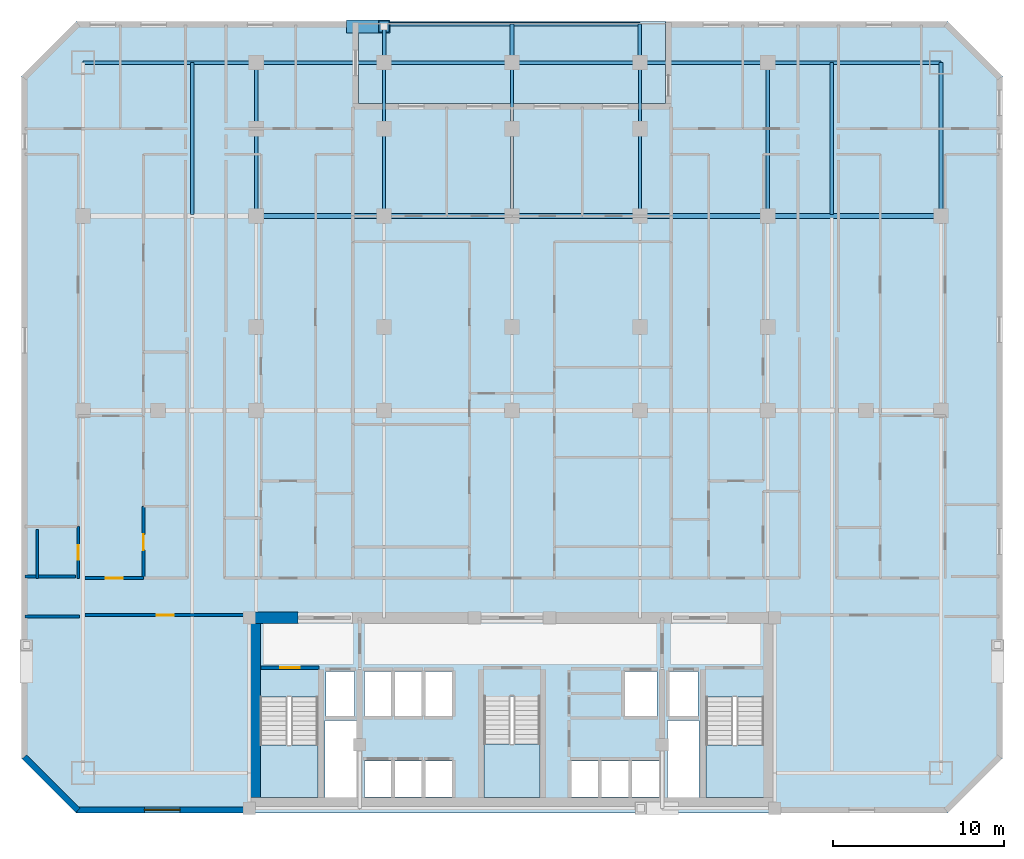
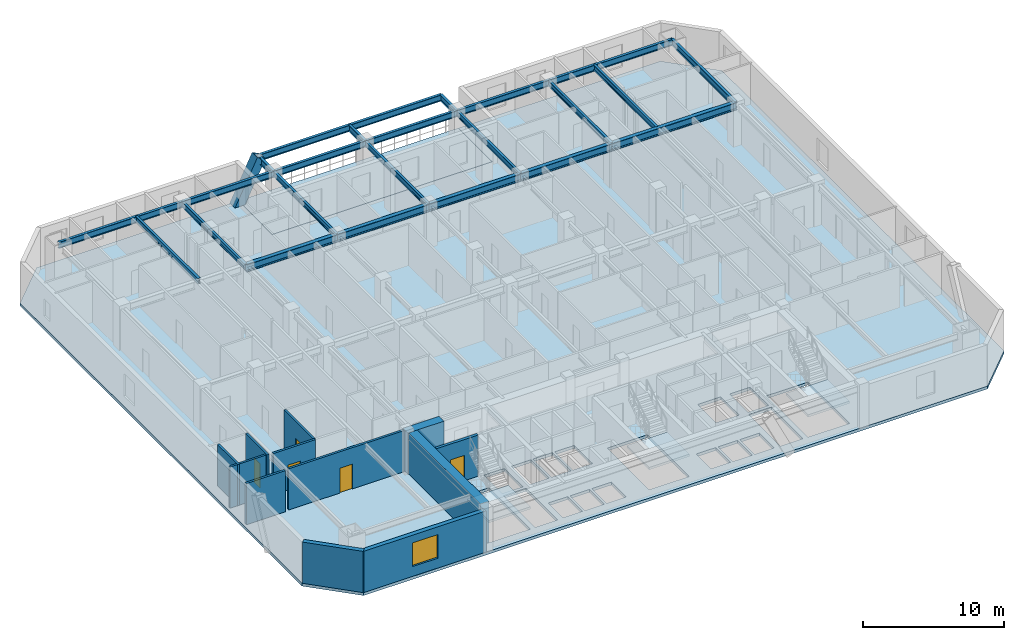
# One storey, part 2 of 10: 24 beams, 12 walls, 5 doors, 5 slabs, 1 member, 1 window, 6 openings, 3 elements without a shape of their own.
"""IFC4 building model written with IfcOpenShell, lengths in metres."""

from ifc_helpers import new_model, si_unit, direction, frame, frame_2d, origin, origin_2d, place, context, subcontext, project, spatial, polyline, rectangle, hollow_rectangle, i_section, outline, extrude, material, layer, layer_set, material_profile, profile_set, type_object, element, fill, aggregate, save


model = new_model("IFC4")

# Units and contexts
model_context = context("Model", 3, precision=1e-05, world=origin(), true_north=direction((0.0, 1.0)))
body_context = subcontext(model_context, "Body", "Model", "MODEL_VIEW")
ifc_project = project(units=[si_unit("LENGTHUNIT", "METRE"), si_unit("AREAUNIT", "SQUARE_METRE"), si_unit("VOLUMEUNIT", "CUBIC_METRE"), si_unit("PLANEANGLEUNIT", "RADIAN"), si_unit("MASSUNIT", "GRAM", prefix="KILO")], contexts=[model_context])

# Site, building, storey
site_placement = place(None, origin())
site = spatial("IfcSite", under=ifc_project, at=site_placement, CompositionType="ELEMENT")
building_placement = place(site_placement, origin())
building = spatial("IfcBuilding", under=site, at=building_placement, Name="Ventersveld Concourse Tower", CompositionType="ELEMENT")
storey_placement = place(building_placement, frame((0.0, 0.0, 72.14990234375)))
storey = spatial("IfcBuildingStorey", under=building, at=storey_placement, Name="L17", CompositionType="ELEMENT", Elevation=72.14990234375)

# Beams
ifc_material_1 = material(Name="Structural steel S355J2", Category="steel")
ifc_material_profile_1 = material_profile(ifc_material_1, i_section(OverallWidth=0.19140625, OverallDepth=0.4599609375, WebThickness=0.010009765625, FlangeThickness=0.01611328125, FilletRadius=0.01025390625, at=origin_2d()), Name="UB 457x191x82")
ifc_profile_set_1 = profile_set([ifc_material_profile_1], Name="Structural steel S355J2")
beam_type_1 = type_object("IfcBeamType", Name="BM-UB457H", PredefinedType="BEAM", material=ifc_profile_set_1)
beam_1_placement = place(storey_placement, frame((10.0, 35.094970703125, 3.340087890625), z_axis=(0.0, 1.0, 0.0), x_axis=(-1.0, 0.0, 0.0)))
element("IfcBeam", 1, at=beam_1_placement, inside=storey, type_object=beam_type_1, Name="L17 N-S Composite Floor Beam North X=10.00", PredefinedType="BEAM", context=body_context, shape_type="SweptSolid", body=[
    extrude(i_section(OverallWidth=0.19140625, OverallDepth=0.4599609375, WebThickness=0.010009765625, FlangeThickness=0.01611328125, FilletRadius=0.01025390625, at=origin_2d()), origin(), (0.0, 0.0, 1.0), 8.905029296875),
])
for number, where, z_axis, x_axis, name in (
    (2, (13.75, 35.0, 3.340087890625), (0.0, 1.0, 0.0), (-1.0, 0.0, 0.0), "L17 N-S Composite Floor Beam North X=13.75"),
    (3, (21.25, 35.0, 3.340087890625), (0.0, 1.0, 0.0), (-1.0, 0.0, 0.0), "L17 N-S Composite Floor Beam North X=21.25"),
    (4, (28.75, 35.0, 3.340087890625), (0.0, 1.0, 0.0), (-1.0, 0.0, 0.0), "L17 N-S Composite Floor Beam North X=28.75"),
    (5, (36.25, 35.0, 3.340087890625), (0.0, 1.0, 0.0), (-1.0, 0.0, 0.0), "L17 N-S Composite Floor Beam North X=36.25"),
    (6, (43.75, 35.0, 3.340087890625), (0.0, 1.0, 0.0), (-1.0, 0.0, 0.0), "L17 N-S Composite Floor Beam North X=43.75"),
):
    element("IfcBeam", number, at=place(storey_placement, frame(where, z_axis=z_axis, x_axis=x_axis)), inside=storey, type_object=beam_type_1, Name=name, PredefinedType="BEAM", context=body_context, shape_type="SweptSolid", body=[
        extrude(i_section(OverallWidth=0.19140625, OverallDepth=0.4599609375, WebThickness=0.010009765625, FlangeThickness=0.01611328125, FilletRadius=0.01025390625, at=origin_2d()), origin(), (0.0, 0.0, 1.0), 9.0),
    ])
beam_2_placement = place(storey_placement, frame((47.5, 35.094970703125, 3.340087890625), z_axis=(0.0, 1.0, 0.0), x_axis=(-1.0, 0.0, 0.0)))
element("IfcBeam", 7, at=beam_2_placement, inside=storey, type_object=beam_type_1, Name="L17 N-S Composite Floor Beam North X=47.50", PredefinedType="BEAM", context=body_context, shape_type="SweptSolid", body=[
    extrude(i_section(OverallWidth=0.19140625, OverallDepth=0.4599609375, WebThickness=0.010009765625, FlangeThickness=0.01611328125, FilletRadius=0.01025390625, at=origin_2d()), origin(), (0.0, 0.0, 1.0), 8.905029296875),
])
ifc_material_profile_2 = material_profile(ifc_material_1, i_section(OverallWidth=0.311279296875, OverallDepth=0.6357421875, WebThickness=0.018310546875, FlangeThickness=0.031494140625, FilletRadius=0.0166015625, at=origin_2d()), Name="UB 610x305x238")
ifc_profile_set_2 = profile_set([ifc_material_profile_2], Name="Structural steel S355J2")
beam_type_2 = type_object("IfcBeamType", Name="GRD-UB610H", PredefinedType="USERDEFINED", material=ifc_profile_set_2)
for number, where, z_axis, x_axis, name in (
    (8, (13.75, 35.0, 3.252197265625), (1.0, 0.0, 0.0), (0.0, 1.0, 0.0), "L17 E-W Grid Girder Y=35.00 #2"),
    (9, (21.25, 35.0, 3.252197265625), (1.0, 0.0, 0.0), (0.0, 1.0, 0.0), "L17 E-W Grid Girder Y=35.00 #3"),
    (10, (28.75, 35.0, 3.252197265625), (1.0, 0.0, 0.0), (0.0, 1.0, 0.0), "L17 E-W Grid Girder Y=35.00 #4"),
    (11, (36.25, 35.0, 3.252197265625), (1.0, 0.0, 0.0), (0.0, 1.0, 0.0), "L17 E-W Grid Girder Y=35.00 #5"),
):
    element("IfcBeam", number, at=place(storey_placement, frame(where, z_axis=z_axis, x_axis=x_axis)), inside=storey, type_object=beam_type_2, Name=name, ObjectType="GIRDER", PredefinedType="USERDEFINED", context=body_context, shape_type="SweptSolid", body=[
        extrude(i_section(OverallWidth=0.311279296875, OverallDepth=0.6357421875, WebThickness=0.018310546875, FlangeThickness=0.031494140625, FilletRadius=0.0166015625, at=origin_2d()), origin(), (0.0, 0.0, 1.0), 7.5),
    ])
beam_3_placement = place(storey_placement, frame((43.75, 35.0, 3.252197265625), z_axis=(1.0, 0.0, 0.0), x_axis=(0.0, 1.0, 0.0)))
element("IfcBeam", 12, at=beam_3_placement, inside=storey, type_object=beam_type_2, Name="L17 E-W Grid Girder Y=35.00 #6", ObjectType="GIRDER", PredefinedType="USERDEFINED", context=body_context, shape_type="SweptSolid", body=[
    extrude(i_section(OverallWidth=0.311279296875, OverallDepth=0.6357421875, WebThickness=0.018310546875, FlangeThickness=0.031494140625, FilletRadius=0.0166015625, at=origin_2d()), origin(), (0.0, 0.0, 1.0), 10.14990234375),
])

# Member
ifc_material_2 = material(Name="Structural steel S355ML", Category="steel")
ifc_material_profile_3 = material_profile(ifc_material_2, hollow_rectangle(XDim=0.75, YDim=0.75, WallThickness=0.044921875, at=origin_2d()), Name="BOX 750x750x45")
ifc_profile_set_3 = profile_set([ifc_material_profile_3], Name="Structural steel S355ML")
member_type = type_object("IfcMemberType", Name="MB-750x750", PredefinedType="BRACE", material=ifc_profile_set_3)
member_placement = place(storey_placement, frame((19.375, 46.1201171875, -0.25), z_axis=(0.440615191354, 0.0, 0.897696080613), x_axis=(0.0, 1.0, 0.0)))
element("IfcMember", 13, at=member_placement, inside=storey, type_object=member_type, Name="L17 Exterior Mega-Brace N (Module M03)", PredefinedType="BRACE", context=body_context, shape_type="SweptSolid", body=[
    extrude(hollow_rectangle(XDim=0.75, YDim=0.75, WallThickness=0.044921875, at=origin_2d()), origin(), (0.0, 0.0, 1.0), 4.25537109375),
])

# Beams
ifc_material_profile_4 = material_profile(ifc_material_1, i_section(OverallWidth=0.2119140625, OverallDepth=0.54443359375, WebThickness=0.0126953125, FlangeThickness=0.021240234375, FilletRadius=0.0126953125, at=origin_2d()), Name="UB 533x210x122")
ifc_profile_set_4 = profile_set([ifc_material_profile_4], Name="Structural steel S355J2")
beam_type_3 = type_object("IfcBeamType", Name="SPD-UB533", PredefinedType="SPANDREL", material=ifc_profile_set_4)
beam_4_placement = place(storey_placement, frame((53.89990234375, 35.0, 3.2978515625), z_axis=(0.0, 1.0, 0.0), x_axis=(-1.0, 0.0, 0.0)))
element("IfcBeam", 14, at=beam_4_placement, inside=storey, type_object=beam_type_3, Name="L17 East Spandrel Beam N", PredefinedType="SPANDREL", context=body_context, shape_type="SweptSolid", body=[
    extrude(i_section(OverallWidth=0.2119140625, OverallDepth=0.54443359375, WebThickness=0.0126953125, FlangeThickness=0.021240234375, FilletRadius=0.0126953125, at=origin_2d()), origin(), (0.0, 0.0, 1.0), 9.0),
])
for number, where, z_axis, x_axis, name in (
    (15, (21.25, 44.0, 3.2978515625), (0.0, 1.0, 0.0), (-1.0, 0.0, 0.0), "L17 Terrace Bracket W"),
    (16, (28.75, 44.0, 3.2978515625), (0.0, 1.0, 0.0), (-1.0, 0.0, 0.0), "L17 Terrace Bracket C"),
    (17, (36.25, 44.0, 3.2978515625), (0.0, 1.0, 0.0), (-1.0, 0.0, 0.0), "L17 Terrace Bracket E"),
):
    element("IfcBeam", number, at=place(storey_placement, frame(where, z_axis=z_axis, x_axis=x_axis)), inside=storey, type_object=beam_type_3, Name=name, PredefinedType="SPANDREL", context=body_context, shape_type="SweptSolid", body=[
        extrude(i_section(OverallWidth=0.2119140625, OverallDepth=0.54443359375, WebThickness=0.0126953125, FlangeThickness=0.021240234375, FilletRadius=0.0126953125, at=origin_2d()), origin(), (0.0, 0.0, 1.0), 2.25),
    ])
for number, where, z_axis, x_axis, name in (
    (18, (21.25, 46.25, 3.2978515625), (1.0, 0.0, 0.0), (0.0, 1.0, 0.0), "L17 Terrace Edge Spandrel W"),
    (19, (28.75, 46.25, 3.2978515625), (1.0, 0.0, 0.0), (0.0, 1.0, 0.0), "L17 Terrace Edge Spandrel E"),
):
    element("IfcBeam", number, at=place(storey_placement, frame(where, z_axis=z_axis, x_axis=x_axis)), inside=storey, type_object=beam_type_3, Name=name, PredefinedType="SPANDREL", context=body_context, shape_type="SweptSolid", body=[
        extrude(i_section(OverallWidth=0.2119140625, OverallDepth=0.54443359375, WebThickness=0.0126953125, FlangeThickness=0.021240234375, FilletRadius=0.0126953125, at=origin_2d()), origin(), (0.0, 0.0, 1.0), 7.5),
    ])
beam_5_placement = place(storey_placement, frame((3.60009765625, 44.0, 3.2978515625), z_axis=(1.0, 0.0, 0.0), x_axis=(0.0, 1.0, 0.0)))
element("IfcBeam", 20, at=beam_5_placement, inside=storey, type_object=beam_type_3, Name="L17 North Spandrel Girder Y=44.00 #1", PredefinedType="SPANDREL", context=body_context, shape_type="SweptSolid", body=[
    extrude(i_section(OverallWidth=0.2119140625, OverallDepth=0.54443359375, WebThickness=0.0126953125, FlangeThickness=0.021240234375, FilletRadius=0.0126953125, at=origin_2d()), origin(), (0.0, 0.0, 1.0), 10.14990234375),
])
for number, where, z_axis, x_axis, name in (
    (21, (13.75, 44.0, 3.2978515625), (1.0, 0.0, 0.0), (0.0, 1.0, 0.0), "L17 North Spandrel Girder Y=44.00 #2"),
    (22, (21.25, 44.0, 3.2978515625), (1.0, 0.0, 0.0), (0.0, 1.0, 0.0), "L17 North Spandrel Girder Y=44.00 #3"),
    (23, (28.75, 44.0, 3.2978515625), (1.0, 0.0, 0.0), (0.0, 1.0, 0.0), "L17 North Spandrel Girder Y=44.00 #4"),
    (24, (36.25, 44.0, 3.2978515625), (1.0, 0.0, 0.0), (0.0, 1.0, 0.0), "L17 North Spandrel Girder Y=44.00 #5"),
):
    element("IfcBeam", number, at=place(storey_placement, frame(where, z_axis=z_axis, x_axis=x_axis)), inside=storey, type_object=beam_type_3, Name=name, PredefinedType="SPANDREL", context=body_context, shape_type="SweptSolid", body=[
        extrude(i_section(OverallWidth=0.2119140625, OverallDepth=0.54443359375, WebThickness=0.0126953125, FlangeThickness=0.021240234375, FilletRadius=0.0126953125, at=origin_2d()), origin(), (0.0, 0.0, 1.0), 7.5),
    ])
beam_6_placement = place(storey_placement, frame((43.75, 44.0, 3.2978515625), z_axis=(1.0, 0.0, 0.0), x_axis=(0.0, 1.0, 0.0)))
element("IfcBeam", 25, at=beam_6_placement, inside=storey, type_object=beam_type_3, Name="L17 North Spandrel Girder Y=44.00 #6", PredefinedType="SPANDREL", context=body_context, shape_type="SweptSolid", body=[
    extrude(i_section(OverallWidth=0.2119140625, OverallDepth=0.54443359375, WebThickness=0.0126953125, FlangeThickness=0.021240234375, FilletRadius=0.0126953125, at=origin_2d()), origin(), (0.0, 0.0, 1.0), 10.14990234375),
])

# Slabs
ifc_material_3 = material(Name="Concrete C50/60", Category="concrete")
ifc_layer_1 = layer(ifc_material_3, 0.25)
ifc_layer_set_1 = layer_set([ifc_layer_1], Name="Concrete C50/60")
slab_type_1 = type_object("IfcSlabType", Name="SL-FLR-250", PredefinedType="FLOOR", material=ifc_layer_set_1)
slab_1_placement = place(storey_placement, frame((0.0, 0.0, -0.25)))
element("IfcSlab", 26, at=slab_1_placement, inside=storey, type_object=slab_type_1, Name="L17 Composite Floor Slab", PredefinedType="FLOOR", context=body_context, shape_type="SweptSolid", body=[
    extrude(outline(polyline([(3.199951171875, 0.0), (54.300048828125, 0.0), (57.5, 3.199951171875), (57.5, 43.199951171875), (54.300048828125, 46.39990234375), (37.75, 46.39990234375), (37.75, 41.60009765625), (19.75, 41.60009765625), (19.75, 46.39990234375), (3.199951171875, 46.39990234375), (0.0, 43.199951171875), (0.0, 3.199951171875), (3.199951171875, 0.0)]), holes=[polyline([(13.97998046875, 6.794921875), (13.97998046875, 0.89990234375), (17.3798828125, 0.89990234375), (17.3798828125, 6.794921875), (13.97998046875, 6.794921875)]), polyline([(40.1201171875, 6.794921875), (40.1201171875, 0.89990234375), (43.52001953125, 0.89990234375), (43.52001953125, 6.794921875), (40.1201171875, 6.794921875)]), polyline([(27.10009765625, 6.844970703125), (27.10009765625, 0.89990234375), (30.39990234375, 0.89990234375), (30.39990234375, 6.844970703125), (27.10009765625, 6.844970703125)]), polyline([(17.85009765625, 5.699951171875), (19.530029296875, 5.699951171875), (19.530029296875, 8.300048828125), (17.85009765625, 8.300048828125), (17.85009765625, 5.699951171875)]), polyline([(37.969970703125, 5.699951171875), (39.64990234375, 5.699951171875), (39.64990234375, 8.300048828125), (37.969970703125, 8.300048828125), (37.969970703125, 5.699951171875)]), polyline([(35.35009765625, 5.699951171875), (37.25, 5.699951171875), (37.25, 8.300048828125), (35.35009765625, 8.300048828125), (35.35009765625, 5.699951171875)]), polyline([(20.090087890625, 0.949951171875), (21.68994140625, 0.949951171875), (21.68994140625, 3.050048828125), (20.090087890625, 3.050048828125), (20.090087890625, 0.949951171875)]), polyline([(21.8701171875, 0.949951171875), (23.469970703125, 0.949951171875), (23.469970703125, 3.050048828125), (21.8701171875, 3.050048828125), (21.8701171875, 0.949951171875)]), polyline([(23.64990234375, 0.949951171875), (25.25, 0.949951171875), (25.25, 3.050048828125), (23.64990234375, 3.050048828125), (23.64990234375, 0.949951171875)]), polyline([(32.2099609375, 0.949951171875), (33.81005859375, 0.949951171875), (33.81005859375, 3.050048828125), (32.2099609375, 3.050048828125), (32.2099609375, 0.949951171875)]), polyline([(33.989990234375, 0.949951171875), (35.590087890625, 0.949951171875), (35.590087890625, 3.050048828125), (33.989990234375, 3.050048828125), (33.989990234375, 0.949951171875)]), polyline([(35.77001953125, 0.949951171875), (37.3701171875, 0.949951171875), (37.3701171875, 3.050048828125), (35.77001953125, 3.050048828125), (35.77001953125, 0.949951171875)]), polyline([(20.090087890625, 5.699951171875), (21.68994140625, 5.699951171875), (21.68994140625, 8.300048828125), (20.090087890625, 8.300048828125), (20.090087890625, 5.699951171875)]), polyline([(21.8701171875, 5.699951171875), (23.469970703125, 5.699951171875), (23.469970703125, 8.300048828125), (21.8701171875, 8.300048828125), (21.8701171875, 5.699951171875)]), polyline([(23.64990234375, 5.699951171875), (25.25, 5.699951171875), (25.25, 8.300048828125), (23.64990234375, 8.300048828125), (23.64990234375, 5.699951171875)]), polyline([(17.780029296875, 0.919921875), (19.6201171875, 0.919921875), (19.6201171875, 5.419921875), (17.780029296875, 5.419921875), (17.780029296875, 0.919921875)]), polyline([(37.8798828125, 0.919921875), (39.719970703125, 0.919921875), (39.719970703125, 5.419921875), (37.8798828125, 5.419921875), (37.8798828125, 0.919921875)])]), origin(), (0.0, 0.0, 1.0), 0.25),
])
slab_2_placement = place(storey_placement, frame((0.0, 0.0, -0.25)))
element("IfcSlab", 27, at=slab_2_placement, inside=storey, type_object=slab_type_1, Name="L17 Outdoor Terrace Slab NOTCH-N", PredefinedType="FLOOR", context=body_context, shape_type="SweptSolid", body=[
    extrude(outline(polyline([(19.75, 41.60009765625), (37.75, 41.60009765625), (37.75, 46.39990234375), (19.75, 46.39990234375), (19.75, 41.60009765625)])), origin(), (0.0, 0.0, 1.0), 0.25),
])

# Stair, slab
stair_type_1 = type_object("IfcStairType", Name="ST-DOG-160", PredefinedType="HALF_TURN_STAIR", material=ifc_material_3)
stair_1_placement = place(storey_placement, origin())
stair_1 = element("IfcStair", 28, at=stair_1_placement, inside=storey, type_object=stair_type_1, Name="L17 Protected Tower Escape Stair ST-01", PredefinedType="HALF_TURN_STAIR")
ifc_layer_2 = layer(ifc_material_3, 0.199951171875)
ifc_layer_set_2 = layer_set([ifc_layer_2], Name="Concrete C50/60")
slab_type_2 = type_object("IfcSlabType", Name="SL-LND-200", PredefinedType="LANDING", material=ifc_layer_set_2)
slab_3_placement = place(storey_placement, frame((0.0, 0.0, 1.72509765625)))
slab_3 = element("IfcSlab", 29, at=slab_3_placement, type_object=slab_type_2, Name="ST-01 landing 1", PredefinedType="LANDING", context=body_context, shape_type="SweptSolid", body=[
    extrude(outline(polyline([(13.97998046875, 4.0), (13.97998046875, 0.89990234375), (17.3798828125, 0.89990234375), (17.3798828125, 4.0), (13.97998046875, 4.0)])), origin(), (0.0, 0.0, 1.0), 0.199951171875),
])
aggregate(stair_1, [slab_3])

stair_2_placement = place(storey_placement, origin())
stair_2 = element("IfcStair", 30, at=stair_2_placement, inside=storey, type_object=stair_type_1, Name="L17 Protected Tower Escape Stair ST-02", PredefinedType="HALF_TURN_STAIR")
slab_4_placement = place(storey_placement, frame((0.0, 0.0, 1.72509765625)))
slab_4 = element("IfcSlab", 31, at=slab_4_placement, type_object=slab_type_2, Name="ST-02 landing 1", PredefinedType="LANDING", context=body_context, shape_type="SweptSolid", body=[
    extrude(outline(polyline([(40.1201171875, 4.0), (40.1201171875, 0.89990234375), (43.52001953125, 0.89990234375), (43.52001953125, 4.0), (40.1201171875, 4.0)])), origin(), (0.0, 0.0, 1.0), 0.199951171875),
])
aggregate(stair_2, [slab_4])

stair_type_2 = type_object("IfcStairType", Name="ST-DOG-155", PredefinedType="HALF_TURN_STAIR", material=ifc_material_3)
stair_3_placement = place(storey_placement, origin())
stair_3 = element("IfcStair", 32, at=stair_3_placement, inside=storey, type_object=stair_type_2, Name="L17 Protected Central Core Escape Stair ST-03", PredefinedType="HALF_TURN_STAIR")
slab_5_placement = place(storey_placement, frame((0.0, 0.0, 1.72509765625)))
slab_5 = element("IfcSlab", 33, at=slab_5_placement, type_object=slab_type_2, Name="ST-03 landing 1", PredefinedType="LANDING", context=body_context, shape_type="SweptSolid", body=[
    extrude(outline(polyline([(27.10009765625, 4.050048828125), (27.10009765625, 0.89990234375), (30.39990234375, 0.89990234375), (30.39990234375, 4.050048828125), (27.10009765625, 4.050048828125)])), origin(), (0.0, 0.0, 1.0), 0.199951171875),
])
aggregate(stair_3, [slab_5])

# Walls
ifc_material_4 = material(Name="Concrete C60/75", Category="concrete")
ifc_layer_3 = layer(ifc_material_4, 0.699951171875)
ifc_layer_set_3 = layer_set([ifc_layer_3], Name="Concrete C60/75")
wall_type_1 = type_object("IfcWallType", Name="WL-CORE-700", PredefinedType="SHEAR", material=ifc_layer_set_3)
wall_1_placement = place(storey_placement, frame((13.64990234375, 0.919921875, 0.0), z_axis=(0.0, 0.0, 1.0), x_axis=(0.0, 1.0, 0.0)))
element("IfcWall", 34, at=wall_1_placement, inside=storey, type_object=wall_type_1, Name="L17 Rear Core West Shear Wall", PredefinedType="SHEAR", context=body_context, shape_type="SweptSolid", body=[
    extrude(rectangle(XDim=10.530029296875, YDim=0.699951171875, at=frame_2d((5.26513671875, 0.0))), origin(), (0.0, 0.0, 1.0), 3.570068359375),
])
wall_2_placement = place(storey_placement, frame((13.25, 11.449951171875, 0.0), z_axis=(0.0, 0.0, 1.0), x_axis=(1.0, 0.0, 0.0)))
element("IfcWall", 35, at=wall_2_placement, inside=storey, type_object=wall_type_1, Name="L17 Rear Core North Shear Wall NW", PredefinedType="SHEAR", context=body_context, shape_type="SweptSolid", body=[
    extrude(rectangle(XDim=2.949951171875, YDim=0.699951171875, at=frame_2d((1.47509765625, 0.0))), origin(), (0.0, 0.0, 1.0), 3.570068359375),
])

# Wall, opening, door
ifc_material_5 = material(Name="Fire-rated autoclaved aerated masonry blockwork", Category="masonry")
ifc_layer_4 = layer(ifc_material_5, 0.179931640625)
ifc_layer_set_4 = layer_set([ifc_layer_4], Name="Fire-rated autoclaved aerated masonry blockwork")
wall_type_2 = type_object("IfcWallType", Name="WL-CORR-180", PredefinedType="PARTITIONING", material=ifc_layer_set_4)
wall_3_placement = place(storey_placement, frame((3.705078125, 11.60009765625, 0.0), z_axis=(0.0, 0.0, 1.0), x_axis=(1.0, 0.0, 0.0)))
wall_3 = element("IfcWall", 36, at=wall_3_placement, inside=storey, type_object=wall_type_2, Name="L17 Interior Partition SP-L17-SW-GAL-SP-L17-COR", PredefinedType="PARTITIONING", context=body_context, shape_type="SweptSolid", body=[
    extrude(rectangle(XDim=9.43994140625, YDim=0.179931640625, at=frame_2d((4.719970703125, 0.0))), origin(), (0.0, 0.0, 1.0), 3.570068359375),
])
opening_1_placement = place(wall_3_placement, frame((4.219970703125, 0.0, 0.0)))
opening_1 = element("IfcOpeningElement", 37, at=opening_1_placement, cuts=wall_3, Name="Opening FD3", PredefinedType="OPENING", context=body_context, shape_type="SweptSolid", body=[
    extrude(rectangle(XDim=1.0, YDim=2.14990234375, at=frame_2d((0.5, 1.074951171875))), frame((0.0, 0.10009765625, 0.0), z_axis=(0.0, -1.0, 0.0), x_axis=(1.0, 0.0, 0.0)), (0.0, 0.0, 1.0), 0.199951171875),
])
ifc_material_6 = material(Name="Solid-core hardwood veneer timber", Category="wood")
door_type_1 = type_object("IfcDoorType", Name="DR-FLAT-100", OperationType="NOTDEFINED", PredefinedType="DOOR", material=ifc_material_6)
door_1_placement = place(opening_1_placement, origin())
door_1 = element("IfcDoor", 38, at=door_1_placement, inside=storey, type_object=door_type_1, Name="L17 Interior Door SP-L17-SW-GAL to SP-L17-COR (D-L17-0778)", OperationType="SINGLE_SWING_RIGHT", OverallHeight=2.14990234375, OverallWidth=1.0, PredefinedType="DOOR", context=body_context, shape_type="SweptSolid", body=[
    extrude(rectangle(XDim=1.0, YDim=2.14990234375, at=frame_2d((0.5, 1.074951171875))), frame((0.0, 0.02490234375, 0.0), z_axis=(0.0, -1.0, 0.0), x_axis=(1.0, 0.0, 0.0)), (0.0, 0.0, 1.0), 0.050048828125),
])
fill(opening_1, door_1)

wall_4_placement = place(storey_placement, frame((3.705078125, 13.77001953125, 0.0), z_axis=(0.0, 0.0, 1.0), x_axis=(1.0, 0.0, 0.0)))
wall_4 = element("IfcWall", 39, at=wall_4_placement, inside=storey, type_object=wall_type_2, Name="L17 Interior Partition SP-L17-COR-SP-L17-17NW-FOY", PredefinedType="PARTITIONING", context=body_context, shape_type="SweptSolid", body=[
    extrude(rectangle(XDim=3.44482421875, YDim=0.179931640625, at=frame_2d((1.722412109375, 0.0))), origin(), (0.0, 0.0, 1.0), 3.570068359375),
])
opening_2_placement = place(wall_4_placement, frame((1.222412109375, 0.0, 0.0)))
opening_2 = element("IfcOpeningElement", 40, at=opening_2_placement, cuts=wall_4, Name="Opening FD3", PredefinedType="OPENING", context=body_context, shape_type="SweptSolid", body=[
    extrude(rectangle(XDim=1.0, YDim=2.14990234375, at=frame_2d((0.5, 1.074951171875))), frame((0.0, 0.10009765625, 0.0), z_axis=(0.0, -1.0, 0.0), x_axis=(1.0, 0.0, 0.0)), (0.0, 0.0, 1.0), 0.199951171875),
])
door_2_placement = place(opening_2_placement, origin())
door_2 = element("IfcDoor", 41, at=door_2_placement, inside=storey, type_object=door_type_1, Name="L17 Interior Door SP-L17-COR to SP-L17-17NW-FOY (FD-L17-0780)", OperationType="SINGLE_SWING_RIGHT", OverallHeight=2.14990234375, OverallWidth=1.0, PredefinedType="DOOR", context=body_context, shape_type="SweptSolid", body=[
    extrude(rectangle(XDim=1.0, YDim=2.14990234375, at=frame_2d((0.5, 1.074951171875))), frame((0.0, 0.02490234375, 0.0), z_axis=(0.0, -1.0, 0.0), x_axis=(1.0, 0.0, 0.0)), (0.0, 0.0, 1.0), 0.050048828125),
])
fill(opening_2, door_2)

# Wall
wall_5_placement = place(storey_placement, frame((0.2099609375, 11.52001953125, 0.0), z_axis=(0.0, 0.0, 1.0), x_axis=(1.0, 0.0, 0.0)))
element("IfcWall", 42, at=wall_5_placement, inside=storey, type_object=wall_type_2, Name="L17 Room Enclosure Wall SP-L17-SW-GAL", PredefinedType="PARTITIONING", context=body_context, shape_type="SweptSolid", body=[
    extrude(rectangle(XDim=3.177734375, YDim=0.179931640625, at=frame_2d((1.5888671875, 0.0))), origin(), (0.0, 0.0, 1.0), 3.570068359375),
])

# Wall, opening, door
ifc_layer_5 = layer(ifc_material_5, 0.219970703125)
ifc_layer_set_5 = layer_set([ifc_layer_5], Name="Fire-rated autoclaved aerated masonry blockwork")
wall_type_3 = type_object("IfcWallType", Name="WL-HOIST-220", PredefinedType="SOLIDWALL", material=ifc_layer_set_5)
wall_6_placement = place(storey_placement, frame((14.0400390625, 8.52001953125, 0.0), z_axis=(0.0, 0.0, 1.0), x_axis=(1.0, 0.0, 0.0)))
wall_6 = element("IfcWall", 43, at=wall_6_placement, inside=storey, type_object=wall_type_3, Name="L17 Escape Stair ST01 Fire Wall", PredefinedType="SOLIDWALL", context=body_context, shape_type="SweptSolid", body=[
    extrude(rectangle(XDim=3.39990234375, YDim=0.219970703125, at=frame_2d((1.699951171875, 0.0))), origin(), (0.0, 0.0, 1.0), 3.570068359375),
])
opening_3_placement = place(wall_6_placement, frame((1.125, 0.0, 0.0)))
opening_3 = element("IfcOpeningElement", 44, at=opening_3_placement, cuts=wall_6, Name="Opening FD1", PredefinedType="OPENING", context=body_context, shape_type="SweptSolid", body=[
    extrude(rectangle(XDim=1.14990234375, YDim=2.199951171875, at=frame_2d((0.574951171875, 1.10009765625))), frame((0.0, 0.1201171875, 0.0), z_axis=(0.0, -1.0, 0.0), x_axis=(1.0, 0.0, 0.0)), (0.0, 0.0, 1.0), 0.239990234375),
])
ifc_material_7 = material(Name="Galvanised painted steel", Category="steel")
door_type_2 = type_object("IfcDoorType", Name="DR-STAIR-115", OperationType="NOTDEFINED", PredefinedType="DOOR", material=ifc_material_7)
door_3_placement = place(opening_3_placement, origin())
door_3 = element("IfcDoor", 45, at=door_3_placement, inside=storey, type_object=door_type_2, Name="L17 Escape Stair Door ST01 (SD-L17-0767)", OperationType="SINGLE_SWING_LEFT", OverallHeight=2.199951171875, OverallWidth=1.14990234375, PredefinedType="DOOR", context=body_context, shape_type="SweptSolid", body=[
    extrude(rectangle(XDim=1.14990234375, YDim=2.199951171875, at=frame_2d((0.574951171875, 1.10009765625))), frame((0.0, 0.02490234375, 0.0), z_axis=(0.0, -1.0, 0.0), x_axis=(1.0, 0.0, 0.0)), (0.0, 0.0, 1.0), 0.050048828125),
])
fill(opening_3, door_3)

ifc_material_8 = material(Name="Autoclaved aerated masonry blockwork", Category="masonry")
ifc_layer_6 = layer(ifc_material_8, 0.14990234375)
ifc_layer_set_6 = layer_set([ifc_layer_6], Name="Autoclaved aerated masonry blockwork")
wall_type_4 = type_object("IfcWallType", Name="WL-INT-150", PredefinedType="PARTITIONING", material=ifc_layer_set_6)
wall_7_placement = place(storey_placement, frame((7.144775390625, 13.764892578125, 0.0), z_axis=(0.0, 0.0, 1.0), x_axis=(0.0, 1.0, 0.0)))
wall_7 = element("IfcWall", 46, at=wall_7_placement, inside=storey, type_object=wall_type_4, Name="L17 Interior Partition SP-L17-17NW-FOY-SP-L17-17NW-KIT", PredefinedType="PARTITIONING", context=body_context, shape_type="SweptSolid", body=[
    extrude(rectangle(XDim=4.21484375, YDim=0.14990234375, at=frame_2d((2.107421875, 0.0))), origin(), (0.0, 0.0, 1.0), 3.570068359375),
])
opening_4_placement = place(wall_7_placement, frame((1.6474609375, 0.0, 0.0)))
opening_4 = element("IfcOpeningElement", 47, at=opening_4_placement, cuts=wall_7, Name="Opening ID1", PredefinedType="OPENING", context=body_context, shape_type="SweptSolid", body=[
    extrude(rectangle(XDim=0.919921875, YDim=2.10009765625, at=frame_2d((0.4599609375, 1.050048828125))), frame((0.0, 0.0849609375, 0.0), z_axis=(0.0, -1.0, 0.0), x_axis=(1.0, 0.0, 0.0)), (0.0, 0.0, 1.0), 0.169921875),
])
door_type_3 = type_object("IfcDoorType", Name="DR-ROOM-092", OperationType="NOTDEFINED", PredefinedType="DOOR", material=ifc_material_6)
door_4_placement = place(opening_4_placement, origin())
door_4 = element("IfcDoor", 48, at=door_4_placement, inside=storey, type_object=door_type_3, Name="L17 Interior Door SP-L17-17NW-FOY to SP-L17-17NW-KIT (D-L17-0788)", OperationType="SINGLE_SWING_RIGHT", OverallHeight=2.10009765625, OverallWidth=0.919921875, PredefinedType="DOOR", context=body_context, shape_type="SweptSolid", body=[
    extrude(rectangle(XDim=0.919921875, YDim=2.10009765625, at=frame_2d((0.4599609375, 1.050048828125))), frame((0.0, 0.02490234375, 0.0), z_axis=(0.0, -1.0, 0.0), x_axis=(1.0, 0.0, 0.0)), (0.0, 0.0, 1.0), 0.050048828125),
])
fill(opening_4, door_4)

# Wall, opening, window
ifc_material_9 = material(Name="Precast concrete C45/55", Category="concrete")
ifc_layer_7 = layer(ifc_material_9, 0.35009765625)
ifc_layer_set_7 = layer_set([ifc_layer_7], Name="Precast concrete C45/55")
wall_type_5 = type_object("IfcWallType", Name="WL-PREC-350", PredefinedType="SOLIDWALL", material=ifc_layer_set_7)
wall_8_placement = place(storey_placement, frame((3.239990234375, 0.179931640625, 0.0), z_axis=(0.0, 0.0, 1.0), x_axis=(1.0, 0.0, 0.0)))
wall_8 = element("IfcWall", 49, at=wall_8_placement, inside=storey, type_object=wall_type_5, Name="L17 South-West Flank Precast Wall", PredefinedType="SOLIDWALL", context=body_context, shape_type="SweptSolid", body=[
    extrude(rectangle(XDim=10.010009765625, YDim=0.35009765625, at=frame_2d((5.0048828125, 0.0))), origin(), (0.0, 0.0, 1.0), 3.570068359375),
])
opening_5_placement = place(wall_8_placement, frame((3.955078125, 0.0, 0.85009765625)))
opening_5 = element("IfcOpeningElement", 50, at=opening_5_placement, cuts=wall_8, Name="Opening W7", PredefinedType="OPENING", context=body_context, shape_type="SweptSolid", body=[
    extrude(rectangle(XDim=2.10009765625, YDim=2.050048828125, at=frame_2d((1.050048828125, 1.02490234375))), frame((0.0, 0.18505859375, 0.0), z_axis=(0.0, -1.0, 0.0), x_axis=(1.0, 0.0, 0.0)), (0.0, 0.0, 1.0), 0.3701171875),
])
ifc_material_10 = material(Name="Tempered acoustic Low-E IGU", Category="glass")
window_type = type_object("IfcWindowType", Name="WIN-210x205", PartitioningType="SINGLE_PANEL", PredefinedType="WINDOW", material=ifc_material_10)
window_placement = place(opening_5_placement, origin())
window = element("IfcWindow", 51, at=window_placement, inside=storey, type_object=window_type, Name="L17 Punched Low-E Window W-0159", OverallHeight=2.050048828125, OverallWidth=2.10009765625, PartitioningType="SINGLE_PANEL", PredefinedType="WINDOW", context=body_context, shape_type="SweptSolid", body=[
    extrude(rectangle(XDim=2.10009765625, YDim=2.050048828125, at=frame_2d((1.050048828125, 1.02490234375))), frame((0.0, 0.030029296875, 0.0), z_axis=(0.0, -1.0, 0.0), x_axis=(1.0, 0.0, 0.0)), (0.0, 0.0, 1.0), 0.06005859375),
])
fill(opening_5, window)

# Wall
wall_9_placement = place(storey_placement, frame((0.152099609375, 3.29541015625, 0.0), z_axis=(0.0, 0.0, 1.0), x_axis=(0.707106781187, -0.707106781187, 0.0)))
element("IfcWall", 52, at=wall_9_placement, inside=storey, type_object=wall_type_5, Name="L17 Highveld Precast Facade Wall E12", PredefinedType="SOLIDWALL", context=body_context, shape_type="SweptSolid", body=[
    extrude(rectangle(XDim=4.4453125, YDim=0.35009765625, at=frame_2d((2.22265625, 0.0))), origin(), (0.0, 0.0, 1.0), 3.570068359375),
])

# Wall, opening, door
ifc_layer_8 = layer(ifc_material_8, 0.1650390625)
ifc_layer_set_8 = layer_set([ifc_layer_8], Name="Autoclaved aerated masonry blockwork")
wall_type_6 = type_object("IfcWallType", Name="WL-WET-165", PredefinedType="PLUMBINGWALL", material=ifc_layer_set_8)
wall_10_placement = place(storey_placement, frame((3.32275390625, 13.764892578125, 0.0), z_axis=(0.0, 0.0, 1.0), x_axis=(0.0, 1.0, 0.0)))
wall_10 = element("IfcWall", 53, at=wall_10_placement, inside=storey, type_object=wall_type_6, Name="L17 Interior Partition SP-L17-17NW-FOY-SP-L17-17NW-BATH", PredefinedType="PLUMBINGWALL", context=body_context, shape_type="SweptSolid", body=[
    extrude(rectangle(XDim=3.043701171875, YDim=0.1650390625, at=frame_2d((1.52197265625, 0.0))), origin(), (0.0, 0.0, 1.0), 3.570068359375),
])
opening_6_placement = place(wall_10_placement, frame((1.096923828125, 0.0, 0.0)))
opening_6 = element("IfcOpeningElement", 54, at=opening_6_placement, cuts=wall_10, Name="Opening ID2", PredefinedType="OPENING", context=body_context, shape_type="SweptSolid", body=[
    extrude(rectangle(XDim=0.85009765625, YDim=2.10009765625, at=frame_2d((0.425048828125, 1.050048828125))), frame((0.0, 0.092529296875, 0.0), z_axis=(0.0, -1.0, 0.0), x_axis=(1.0, 0.0, 0.0)), (0.0, 0.0, 1.0), 0.18505859375),
])
door_type_4 = type_object("IfcDoorType", Name="DR-BATH-085", OperationType="NOTDEFINED", PredefinedType="DOOR", material=ifc_material_6)
door_5_placement = place(opening_6_placement, origin())
door_5 = element("IfcDoor", 55, at=door_5_placement, inside=storey, type_object=door_type_4, Name="L17 Interior Door SP-L17-17NW-FOY to SP-L17-17NW-BATH (D-L17-0786)", OperationType="SINGLE_SWING_RIGHT", OverallHeight=2.10009765625, OverallWidth=0.85009765625, PredefinedType="DOOR", context=body_context, shape_type="SweptSolid", body=[
    extrude(rectangle(XDim=0.85009765625, YDim=2.10009765625, at=frame_2d((0.425048828125, 1.050048828125))), frame((0.0, 0.02490234375, 0.0), z_axis=(0.0, -1.0, 0.0), x_axis=(1.0, 0.0, 0.0)), (0.0, 0.0, 1.0), 0.050048828125),
])
fill(opening_6, door_5)

# Walls
wall_11_placement = place(storey_placement, frame((3.15771484375, 13.860107421875, 0.0), z_axis=(0.0, 0.0, 1.0), x_axis=(-1.0, 0.0, 0.0)))
element("IfcWall", 56, at=wall_11_placement, inside=storey, type_object=wall_type_6, Name="L17 Room Enclosure Wall SP-L17-17NW-BATH", PredefinedType="PLUMBINGWALL", context=body_context, shape_type="SweptSolid", body=[
    extrude(rectangle(XDim=2.94775390625, YDim=0.1650390625, at=frame_2d((1.473876953125, 0.0))), origin(), (0.0, 0.0, 1.0), 3.570068359375),
])
wall_12_placement = place(storey_placement, frame((0.919921875, 13.764892578125, 0.0), z_axis=(0.0, 0.0, 1.0), x_axis=(0.0, 1.0, 0.0)))
element("IfcWall", 57, at=wall_12_placement, inside=storey, type_object=wall_type_6, Name="L17 Room Enclosure Wall SP-L17-17NW-BATH", PredefinedType="PLUMBINGWALL", context=body_context, shape_type="SweptSolid", body=[
    extrude(rectangle(XDim=2.873779296875, YDim=0.1650390625, at=frame_2d((1.43701171875, 0.0))), origin(), (0.0, 0.0, 1.0), 3.570068359375),
])

save(model, "model.ifc")
